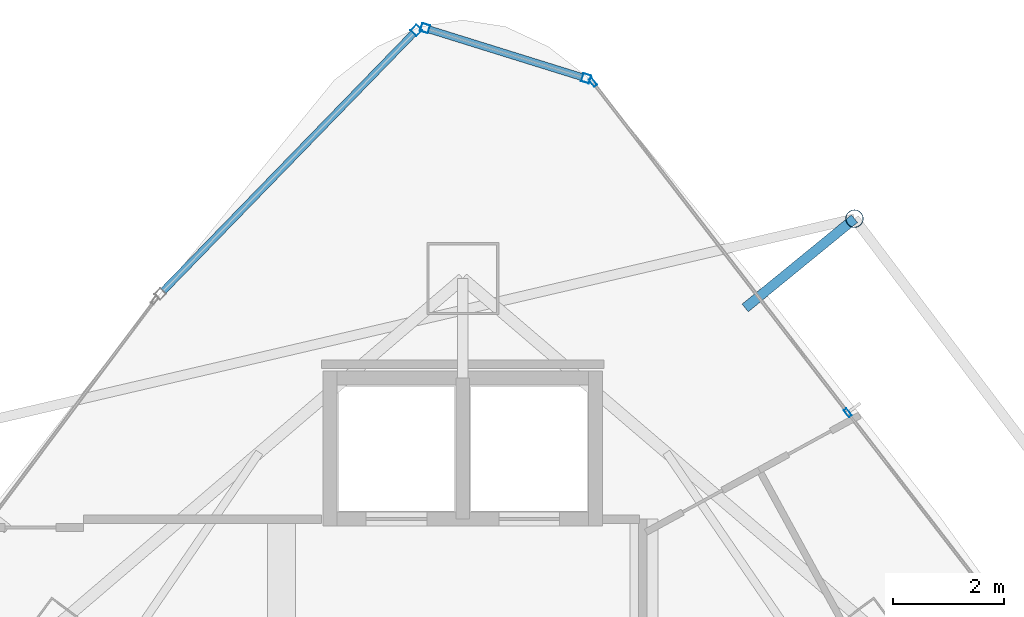
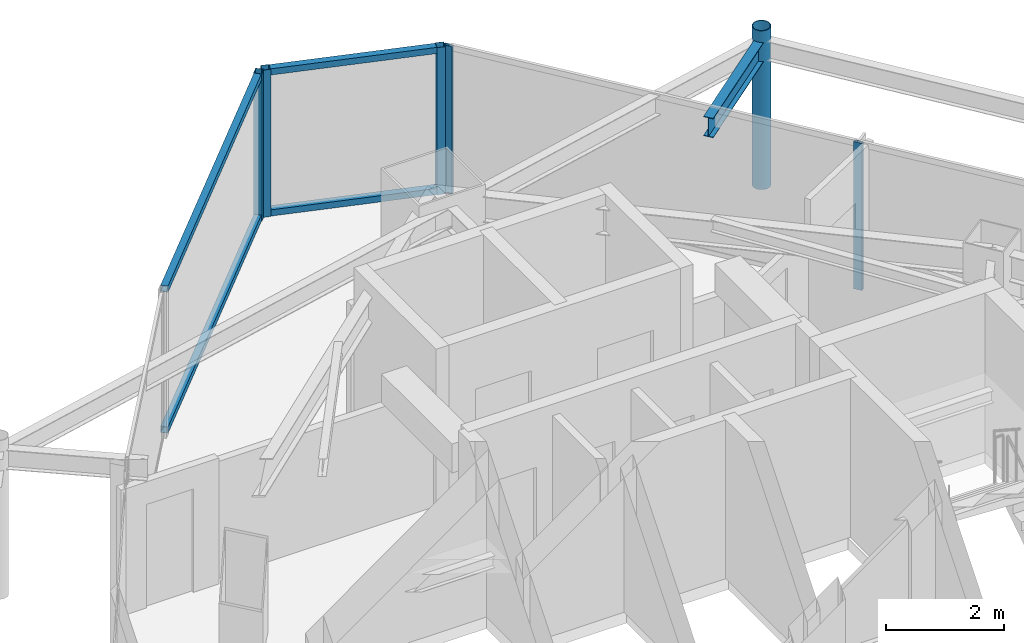
# One storey, part 24 of 32: 10 members, 1 beam, 3 elements without a shape of their own.
"""IFC4 building model written with IfcOpenShell, lengths in metres."""

from ifc_helpers import new_model, si_unit, direction, frame, origin, origin_2d, place, context, subcontext, project, spatial, hollow_rectangle, hollow_circle, i_section, extrude, material, layer, layer_set, material_profile, profile_set, type_object, element, aggregate, save


model = new_model("IFC4")

# Units and contexts
model_context = context("Model", 3, precision=1e-05, world=origin(), true_north=direction((0.0, 1.0)))
body_context = subcontext(model_context, "Body", "Model", "MODEL_VIEW")
ifc_project = project(units=[si_unit("LENGTHUNIT", "METRE"), si_unit("AREAUNIT", "SQUARE_METRE"), si_unit("VOLUMEUNIT", "CUBIC_METRE"), si_unit("PLANEANGLEUNIT", "RADIAN"), si_unit("MASSUNIT", "GRAM", prefix="KILO")], contexts=[model_context])

# Site, building, storey
site_placement = place(None, origin())
site = spatial("IfcSite", under=ifc_project, at=site_placement, CompositionType="ELEMENT")
building_placement = place(site_placement, origin())
building = spatial("IfcBuilding", under=site, at=building_placement, Name="Orvanel Arch Residences", CompositionType="ELEMENT")
storey_placement = place(building_placement, frame((0.0, 0.0, 216.199951171875)))
storey = spatial("IfcBuildingStorey", under=building, at=storey_placement, Name="L61", CompositionType="ELEMENT", Elevation=216.199951171875)

# Curtain wall, members
ifc_material_1 = material(Name="Bronze-anodised aluminium AA6063-T6", Category="aluminium")
ifc_layer_1 = layer(ifc_material_1, 0.18994140625)
ifc_layer_set_1 = layer_set([ifc_layer_1], Name="Bronze-anodised aluminium AA6063-T6")
curtain_wall_type_1 = type_object("IfcCurtainWallType", Name="CW5-CRN-SYS", PredefinedType="NOTDEFINED", material=ifc_layer_set_1)
curtain_wall_1_placement = place(storey_placement, origin())
curtain_wall_1 = element("IfcCurtainWall", 1, at=curtain_wall_1_placement, inside=storey, type_object=curtain_wall_type_1, Name="L61 CW5-CRN-SYS Unitised Curtain Wall", PredefinedType="NOTDEFINED")
ifc_material_profile_1 = material_profile(ifc_material_1, hollow_rectangle(XDim=0.14990234375, YDim=0.14990234375, WallThickness=0.0048828125, at=origin_2d()), Name="ALU150x150x5")
ifc_profile_set_1 = profile_set([ifc_material_profile_1], Name="Bronze-anodised aluminium AA6063-T6")
member_type_1 = type_object("IfcMemberType", Name="MUL-150x150", PredefinedType="MULLION", material=ifc_profile_set_1)
member_1_placement = place(storey_placement, frame((35.2294921875, 45.014404296875, 0.0), z_axis=(0.0, 0.0, 1.0), x_axis=(-0.297224858639, -0.954807511181, 0.0)))
member_1 = element("IfcMember", 2, at=member_1_placement, type_object=member_type_1, Name="CW-S5 mullion 1", PredefinedType="MULLION", context=body_context, shape_type="SweptSolid", body=[
    extrude(hollow_rectangle(XDim=0.14990234375, YDim=0.14990234375, WallThickness=0.0048828125, at=origin_2d()), origin(), (0.0, 0.0, 1.0), 3.06005859375),
])
member_2_placement = place(storey_placement, frame((32.317626953125, 45.920654296875, 0.0), z_axis=(0.0, 0.0, 1.0), x_axis=(-0.297224858639, -0.954807511181, 0.0)))
member_2 = element("IfcMember", 3, at=member_2_placement, type_object=member_type_1, Name="CW-S5 mullion 2", PredefinedType="MULLION", context=body_context, shape_type="SweptSolid", body=[
    extrude(hollow_rectangle(XDim=0.14990234375, YDim=0.14990234375, WallThickness=0.0048828125, at=origin_2d()), origin(), (0.0, 0.0, 1.0), 3.06005859375),
])

# Curtain wall, member
curtain_wall_2_placement = place(storey_placement, origin())
curtain_wall_2 = element("IfcCurtainWall", 4, at=curtain_wall_2_placement, inside=storey, type_object=curtain_wall_type_1, Name="L61 CW5-CRN-SYS Unitised Curtain Wall", PredefinedType="NOTDEFINED")
member_3_placement = place(storey_placement, frame((32.16064453125, 45.881103515625, 0.0), z_axis=(0.0, 0.0, 1.0), x_axis=(0.717266764401, -0.696798671558, 0.0)))
member_3 = element("IfcMember", 5, at=member_3_placement, type_object=member_type_1, Name="CW-S5 mullion 1", PredefinedType="MULLION", context=body_context, shape_type="SweptSolid", body=[
    extrude(hollow_rectangle(XDim=0.14990234375, YDim=0.14990234375, WallThickness=0.0048828125, at=origin_2d()), origin(), (0.0, 0.0, 1.0), 3.06005859375),
])

# Curtain wall, members
ifc_layer_2 = layer(ifc_material_1, 0.175048828125)
ifc_layer_set_2 = layer_set([ifc_layer_2], Name="Bronze-anodised aluminium AA6063-T6")
curtain_wall_type_2 = type_object("IfcCurtainWallType", Name="CW4-HI-SYS", PredefinedType="NOTDEFINED", material=ifc_layer_set_2)
curtain_wall_3_placement = place(storey_placement, origin())
curtain_wall_3 = element("IfcCurtainWall", 6, at=curtain_wall_3_placement, inside=storey, type_object=curtain_wall_type_2, Name="L61 CW4-HI-SYS Unitised Curtain Wall", PredefinedType="NOTDEFINED")
ifc_material_profile_2 = material_profile(ifc_material_1, hollow_rectangle(XDim=0.06494140625, YDim=0.159912109375, WallThickness=0.00390625, at=origin_2d()), Name="ALU160x65x4")
ifc_profile_set_2 = profile_set([ifc_material_profile_2], Name="Bronze-anodised aluminium AA6063-T6")
member_type_2 = type_object("IfcMemberType", Name="MUL-160x65", PredefinedType="MULLION", material=ifc_profile_set_2)
member_4_placement = place(storey_placement, frame((39.9560546875, 38.971923828125, 0.0), z_axis=(0.0, 0.0, 1.0), x_axis=(-0.791975613177, -0.610552723467, 0.0)))
member_4 = element("IfcMember", 7, at=member_4_placement, type_object=member_type_2, Name="CW-S4 mullion 2", PredefinedType="MULLION", context=body_context, shape_type="SweptSolid", body=[
    extrude(hollow_rectangle(XDim=0.06494140625, YDim=0.159912109375, WallThickness=0.00390625, at=origin_2d()), origin(), (0.0, 0.0, 1.0), 3.06005859375),
])
member_5_placement = place(storey_placement, frame((35.351806640625, 44.9443359375, 0.0), z_axis=(0.0, 0.0, 1.0), x_axis=(-0.791975613177, -0.610552723467, 0.0)))
member_5 = element("IfcMember", 8, at=member_5_placement, type_object=member_type_2, Name="CW-S4 mullion 3", PredefinedType="MULLION", context=body_context, shape_type="SweptSolid", body=[
    extrude(hollow_rectangle(XDim=0.06494140625, YDim=0.159912109375, WallThickness=0.00390625, at=origin_2d()), origin(), (0.0, 0.0, 1.0), 3.06005859375),
])
aggregate(curtain_wall_3, [member_4, member_5])

# Beam
ifc_material_2 = material(Name="Structural steel AS/NZS 3679.1 Grade 300 (300 MPa)", Category="steel")
ifc_material_profile_3 = material_profile(ifc_material_2, i_section(OverallWidth=0.177978515625, OverallDepth=0.406005859375, WebThickness=0.0078125, FlangeThickness=0.0126953125, at=origin_2d()), Name="410UB59.7")
ifc_profile_set_3 = profile_set([ifc_material_profile_3], Name="Structural steel AS/NZS 3679.1 Grade 300 (300 MPa)")
beam_type = type_object("IfcBeamType", Name="OB-410UB-EXT", PredefinedType="SPANDREL", material=ifc_profile_set_3)
beam_placement = place(storey_placement, frame((38.10205078125, 40.865966796875, 2.85693359375), z_axis=(0.774485999803, 0.63259104966, 0.0), x_axis=(-0.63259104966, 0.774485999803, 0.0)))
element("IfcBeam", 9, at=beam_placement, inside=storey, type_object=beam_type, Name="L61 Outer Frame Radial Tie Beam 12", PredefinedType="SPANDREL", context=body_context, shape_type="SweptSolid", body=[
    extrude(i_section(OverallWidth=0.177978515625, OverallDepth=0.406005859375, WebThickness=0.0078125, FlangeThickness=0.0126953125, at=origin_2d()), origin(), (0.0, 0.0, 1.0), 2.5498046875),
])

# Member
ifc_material_3 = material(Name="Structural steel AS/NZS 1163 C350L0 (Grade 350)", Category="steel")
ifc_material_profile_4 = material_profile(ifc_material_3, hollow_circle(Radius=0.162109375, WallThickness=0.0126953125, at=origin_2d()), Name="CHS324x12.7")
ifc_profile_set_4 = profile_set([ifc_material_profile_4], Name="Structural steel AS/NZS 1163 C350L0 (Grade 350)")
member_type_3 = type_object("IfcMemberType", Name="ST-324CHS-EXT", PredefinedType="STRUT", material=ifc_profile_set_4)
member_6_placement = place(storey_placement, frame((40.076904296875, 42.47900390625, 0.0), z_axis=(0.0, 0.0, 1.0), x_axis=(1.0, 0.0, 0.0)))
element("IfcMember", 10, at=member_6_placement, inside=storey, type_object=member_type_3, Name="L61 Outer Perimeter Frame Post 12", PredefinedType="STRUT", context=body_context, shape_type="SweptSolid", body=[
    extrude(hollow_circle(Radius=0.162109375, WallThickness=0.0126953125, at=origin_2d()), origin(), (0.0, 0.0, 1.0), 3.300048828125),
])

ifc_material_profile_5 = material_profile(ifc_material_1, hollow_rectangle(XDim=0.1298828125, YDim=0.1298828125, WallThickness=0.00439453125, at=origin_2d()), Name="ALU130x130x4.5")
ifc_profile_set_5 = profile_set([ifc_material_profile_5], Name="Bronze-anodised aluminium AA6063-T6")
member_type_4 = type_object("IfcMemberType", Name="TRN-130x130", PredefinedType="USERDEFINED", material=ifc_profile_set_5)
member_7_placement = place(storey_placement, frame((35.15771484375, 45.03662109375, 0.06494140625), z_axis=(-0.954808997265, 0.297220084687, 0.0), x_axis=(-0.297220084687, -0.954808997265, 0.0)))
member_7 = element("IfcMember", 11, at=member_7_placement, type_object=member_type_4, Name="CW-S5 transom 1.1", ObjectType="TRANSOM", PredefinedType="USERDEFINED", context=body_context, shape_type="SweptSolid", body=[
    extrude(hollow_rectangle(XDim=0.1298828125, YDim=0.1298828125, WallThickness=0.00439453125, at=origin_2d()), origin(), (0.0, 0.0, 1.0), 2.899658203125),
])

member_8_placement = place(storey_placement, frame((35.15771484375, 45.03662109375, 2.9951171875), z_axis=(-0.954808997265, 0.297220084687, 0.0), x_axis=(-0.297220084687, -0.954808997265, 0.0)))
member_8 = element("IfcMember", 12, at=member_8_placement, type_object=member_type_4, Name="CW-S5 transom 1.2", ObjectType="TRANSOM", PredefinedType="USERDEFINED", context=body_context, shape_type="SweptSolid", body=[
    extrude(hollow_rectangle(XDim=0.1298828125, YDim=0.1298828125, WallThickness=0.00439453125, at=origin_2d()), origin(), (0.0, 0.0, 1.0), 2.899658203125),
])

aggregate(curtain_wall_1, [member_1, member_2, member_7, member_8])

member_9_placement = place(storey_placement, frame((32.1083984375, 45.827392578125, 0.06494140625), z_axis=(-0.696802270693, -0.717263267954, 0.0), x_axis=(0.717263267954, -0.696802270693, 0.0)))
member_9 = element("IfcMember", 13, at=member_9_placement, type_object=member_type_4, Name="CW-S5 transom 1.1", ObjectType="TRANSOM", PredefinedType="USERDEFINED", context=body_context, shape_type="SweptSolid", body=[
    extrude(hollow_rectangle(XDim=0.1298828125, YDim=0.1298828125, WallThickness=0.00439453125, at=origin_2d()), origin(), (0.0, 0.0, 1.0), 6.490966796875),
])

member_10_placement = place(storey_placement, frame((32.1083984375, 45.827392578125, 2.9951171875), z_axis=(-0.696802270693, -0.717263267954, 0.0), x_axis=(0.717263267954, -0.696802270693, 0.0)))
member_10 = element("IfcMember", 14, at=member_10_placement, type_object=member_type_4, Name="CW-S5 transom 1.2", ObjectType="TRANSOM", PredefinedType="USERDEFINED", context=body_context, shape_type="SweptSolid", body=[
    extrude(hollow_rectangle(XDim=0.1298828125, YDim=0.1298828125, WallThickness=0.00439453125, at=origin_2d()), origin(), (0.0, 0.0, 1.0), 6.490966796875),
])

aggregate(curtain_wall_2, [member_3, member_9, member_10])

save(model, "model.ifc")
